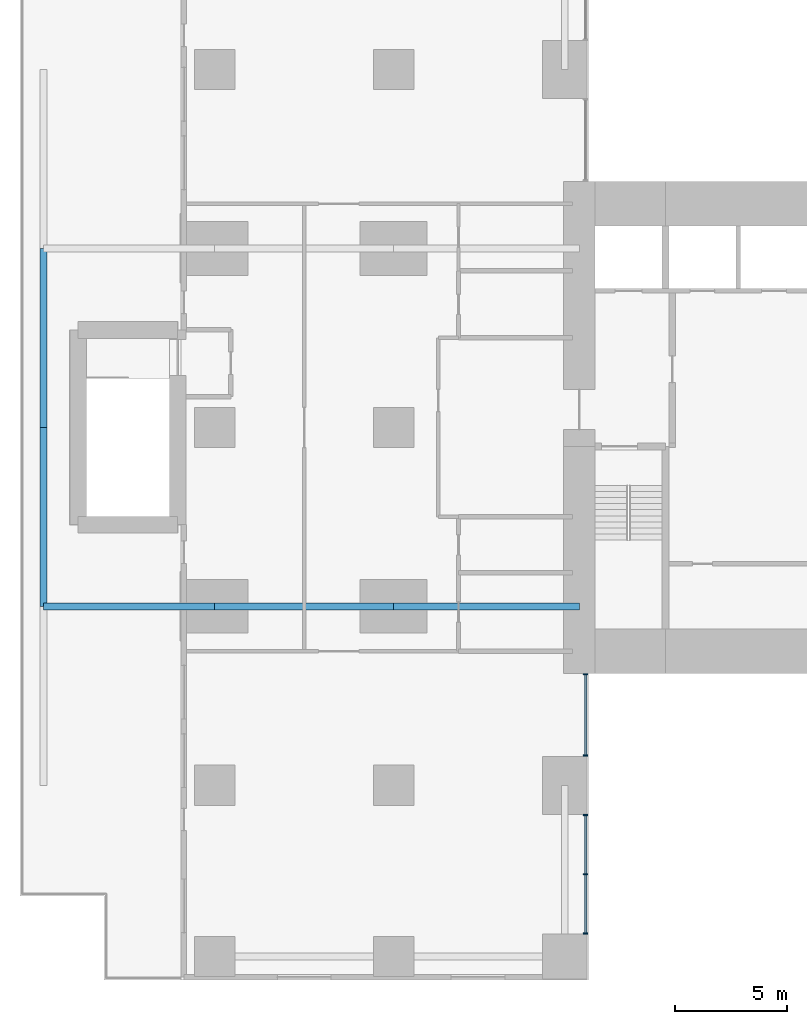
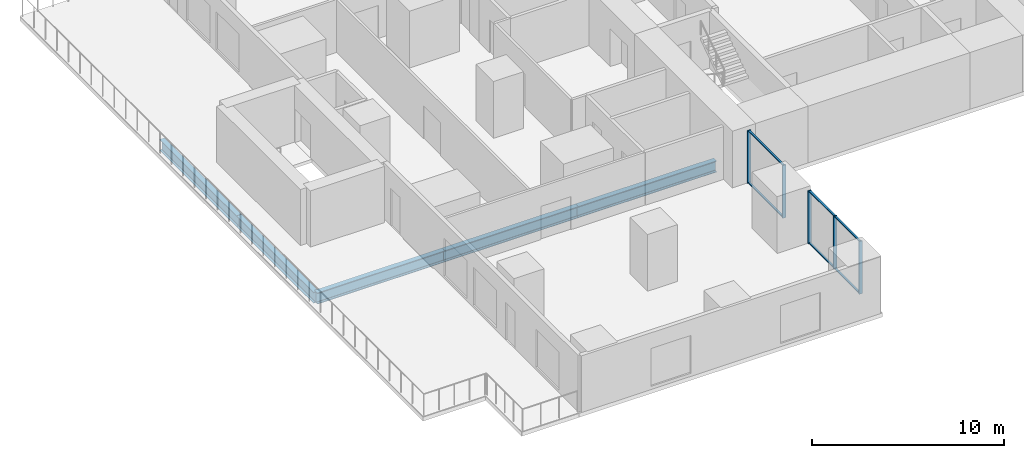
# One storey, part 2 of 16: 11 members, 5 beams, 2 elements without a shape of their own.
"""IFC4 building model written with IfcOpenShell, lengths in metres."""

from ifc_helpers import new_model, si_unit, direction, frame, origin, origin_2d, place, context, subcontext, project, spatial, rectangle, i_section, extrude, material, layer, layer_set, material_profile, profile_set, type_object, element, aggregate, save


model = new_model("IFC4")

# Units and contexts
model_context = context("Model", 3, precision=1e-05, world=origin(), true_north=direction((0.0, 1.0)))
body_context = subcontext(model_context, "Body", "Model", "MODEL_VIEW")
ifc_project = project(units=[si_unit("LENGTHUNIT", "METRE"), si_unit("AREAUNIT", "SQUARE_METRE"), si_unit("VOLUMEUNIT", "CUBIC_METRE"), si_unit("PLANEANGLEUNIT", "RADIAN"), si_unit("MASSUNIT", "GRAM", prefix="KILO")], contexts=[model_context])

# Site, building, storey
site_placement = place(None, origin())
site = spatial("IfcSite", under=ifc_project, at=site_placement, CompositionType="ELEMENT")
building_placement = place(site_placement, origin())
building = spatial("IfcBuilding", under=site, at=building_placement, Name="Cleftline Residences", CompositionType="ELEMENT")
storey_placement = place(building_placement, frame((0.0, 0.0, 218.199951171875)))
storey = spatial("IfcBuildingStorey", under=building, at=storey_placement, Name="L57", CompositionType="ELEMENT", Elevation=218.199951171875)

# Beams
ifc_material_1 = material(Name="Steel S355", Category="steel")
ifc_material_profile_1 = material_profile(ifc_material_1, i_section(OverallWidth=0.300048828125, OverallDepth=0.699951171875, WebThickness=0.01708984375, FlangeThickness=0.031982421875, FilletRadius=0.027099609375, at=origin_2d()))
ifc_profile_set_1 = profile_set([ifc_material_profile_1], Name="Steel S355")
beam_type_1 = type_object("IfcBeamType", Name="BEAM HEB 700", PredefinedType="BEAM", material=ifc_profile_set_1)
for number, where, z_axis, x_axis, name in (
    (1, (0.35009765625, 16.0, -0.599853515625), (0.0, 1.0, 0.0), (-1.0, 0.0, 0.0), "Edge beam"),
    (2, (0.35009765625, 24.0, -0.599853515625), (0.0, 1.0, 0.0), (-1.0, 0.0, 0.0), "Edge beam"),
):
    element("IfcBeam", number, at=place(storey_placement, frame(where, z_axis=z_axis, x_axis=x_axis)), inside=storey, type_object=beam_type_1, Name=name, PredefinedType="BEAM", context=body_context, shape_type="SweptSolid", body=[
        extrude(i_section(OverallWidth=0.300048828125, OverallDepth=0.699951171875, WebThickness=0.01708984375, FlangeThickness=0.031982421875, FilletRadius=0.027099609375, at=origin_2d()), origin(), (0.0, 0.0, 1.0), 8.0),
    ])
ifc_material_2 = material(Name="Steel S355", Category="steel")
ifc_material_profile_2 = material_profile(ifc_material_2, i_section(OverallWidth=0.303955078125, OverallDepth=0.716064453125, WebThickness=0.02099609375, FlangeThickness=0.0400390625, FilletRadius=0.027099609375, at=origin_2d()))
ifc_profile_set_2 = profile_set([ifc_material_profile_2], Name="Steel S355")
beam_type_2 = type_object("IfcBeamType", Name="BEAM HEM 700", PredefinedType="BEAM", material=ifc_profile_set_2)
beam_1_placement = place(storey_placement, frame((0.35009765625, 16.0, -0.60791015625), z_axis=(1.0, 0.0, 0.0), x_axis=(0.0, 1.0, 0.0)))
element("IfcBeam", 3, at=beam_1_placement, inside=storey, type_object=beam_type_2, Name="Band beam", PredefinedType="BEAM", context=body_context, shape_type="SweptSolid", body=[
    extrude(i_section(OverallWidth=0.303955078125, OverallDepth=0.716064453125, WebThickness=0.02099609375, FlangeThickness=0.0400390625, FilletRadius=0.027099609375, at=origin_2d()), origin(), (0.0, 0.0, 1.0), 7.64990234375),
])
beam_2_placement = place(storey_placement, frame((8.0, 16.0, -0.60791015625), z_axis=(1.0, 0.0, 0.0), x_axis=(0.0, 1.0, 0.0)))
element("IfcBeam", 4, at=beam_2_placement, inside=storey, type_object=beam_type_2, Name="Band beam", PredefinedType="BEAM", context=body_context, shape_type="SweptSolid", body=[
    extrude(i_section(OverallWidth=0.303955078125, OverallDepth=0.716064453125, WebThickness=0.02099609375, FlangeThickness=0.0400390625, FilletRadius=0.027099609375, at=origin_2d()), origin(), (0.0, 0.0, 1.0), 8.0),
])
beam_3_placement = place(storey_placement, frame((16.0, 16.0, -0.60791015625), z_axis=(1.0, 0.0, 0.0), x_axis=(0.0, 1.0, 0.0)))
element("IfcBeam", 5, at=beam_3_placement, inside=storey, type_object=beam_type_2, Name="Band beam", PredefinedType="BEAM", context=body_context, shape_type="SweptSolid", body=[
    extrude(i_section(OverallWidth=0.303955078125, OverallDepth=0.716064453125, WebThickness=0.02099609375, FlangeThickness=0.0400390625, FilletRadius=0.027099609375, at=origin_2d()), origin(), (0.0, 0.0, 1.0), 8.300048828125),
])

# Curtain wall, members
ifc_material_3 = material(Name="Aluminium framed curtain wall", Category="aluminium")
ifc_layer = layer(ifc_material_3, 0.199951171875)
ifc_layer_set = layer_set([ifc_layer], Name="CW1 CLEFT GLAZING")
curtain_wall_type = type_object("IfcCurtainWallType", Name="CW1 CLEFT GLAZING", PredefinedType="NOTDEFINED", material=ifc_layer_set)
curtain_wall_1_placement = place(storey_placement, origin())
curtain_wall_1 = element("IfcCurtainWall", 6, at=curtain_wall_1_placement, inside=storey, type_object=curtain_wall_type, Name="Curtain wall CW1", PredefinedType="NOTDEFINED")
ifc_material_4 = material(Name="Aluminium mullion", Category="aluminium")
ifc_material_profile_3 = material_profile(ifc_material_4, rectangle(XDim=0.199951171875, YDim=0.06005859375, at=origin_2d()))
ifc_profile_set_3 = profile_set([ifc_material_profile_3], Name="Aluminium mullion")
member_type_1 = type_object("IfcMemberType", Name="CW1 MULLION", PredefinedType="MULLION", material=ifc_profile_set_3)
member_1_placement = place(storey_placement, frame((24.574951171875, 1.3798828125, 0.0), z_axis=(0.0, 0.0, 1.0), x_axis=(-1.0, 0.0, 0.0)))
member_1 = element("IfcMember", 7, at=member_1_placement, type_object=member_type_1, Name="CW1 mullion 1", PredefinedType="MULLION", context=body_context, shape_type="SweptSolid", body=[
    extrude(rectangle(XDim=0.199951171875, YDim=0.06005859375, at=origin_2d()), origin(), (0.0, 0.0, 1.0), 3.35009765625),
])
member_2_placement = place(storey_placement, frame((24.574951171875, 4.02490234375, 0.0), z_axis=(0.0, 0.0, 1.0), x_axis=(-1.0, 0.0, 0.0)))
member_2 = element("IfcMember", 8, at=member_2_placement, type_object=member_type_1, Name="CW1 mullion 2", PredefinedType="MULLION", context=body_context, shape_type="SweptSolid", body=[
    extrude(rectangle(XDim=0.199951171875, YDim=0.06005859375, at=origin_2d()), origin(), (0.0, 0.0, 1.0), 3.35009765625),
])
member_3_placement = place(storey_placement, frame((24.574951171875, 6.669921875, 0.0), z_axis=(0.0, 0.0, 1.0), x_axis=(-1.0, 0.0, 0.0)))
member_3 = element("IfcMember", 9, at=member_3_placement, type_object=member_type_1, Name="CW1 mullion 3", PredefinedType="MULLION", context=body_context, shape_type="SweptSolid", body=[
    extrude(rectangle(XDim=0.199951171875, YDim=0.06005859375, at=origin_2d()), origin(), (0.0, 0.0, 1.0), 3.35009765625),
])

curtain_wall_2_placement = place(storey_placement, origin())
curtain_wall_2 = element("IfcCurtainWall", 10, at=curtain_wall_2_placement, inside=storey, type_object=curtain_wall_type, Name="Curtain wall CW1", PredefinedType="NOTDEFINED")
member_4_placement = place(storey_placement, frame((24.574951171875, 9.330078125, 0.0), z_axis=(0.0, 0.0, 1.0), x_axis=(-1.0, 0.0, 0.0)))
member_4 = element("IfcMember", 11, at=member_4_placement, type_object=member_type_1, Name="CW1 mullion 1", PredefinedType="MULLION", context=body_context, shape_type="SweptSolid", body=[
    extrude(rectangle(XDim=0.199951171875, YDim=0.06005859375, at=origin_2d()), origin(), (0.0, 0.0, 1.0), 3.35009765625),
])
member_5_placement = place(storey_placement, frame((24.574951171875, 12.969970703125, 0.0), z_axis=(0.0, 0.0, 1.0), x_axis=(-1.0, 0.0, 0.0)))
member_5 = element("IfcMember", 12, at=member_5_placement, type_object=member_type_1, Name="CW1 mullion 2", PredefinedType="MULLION", context=body_context, shape_type="SweptSolid", body=[
    extrude(rectangle(XDim=0.199951171875, YDim=0.06005859375, at=origin_2d()), origin(), (0.0, 0.0, 1.0), 3.35009765625),
])

# Member
ifc_material_5 = material(Name="Aluminium transom", Category="aluminium")
ifc_material_profile_4 = material_profile(ifc_material_5, rectangle(XDim=0.1201171875, YDim=0.06005859375, at=origin_2d()))
ifc_profile_set_4 = profile_set([ifc_material_profile_4], Name="Aluminium transom")
member_type_2 = type_object("IfcMemberType", Name="CW1 TRANSOM", PredefinedType="USERDEFINED", material=ifc_profile_set_4)
member_6_placement = place(storey_placement, frame((24.574951171875, 1.409912109375, 0.030029296875), z_axis=(0.0, 1.0, 0.0), x_axis=(-1.0, 0.0, 0.0)))
member_6 = element("IfcMember", 13, at=member_6_placement, type_object=member_type_2, Name="CW1 transom 1.1", ObjectType="TRANSOM", PredefinedType="USERDEFINED", context=body_context, shape_type="SweptSolid", body=[
    extrude(rectangle(XDim=0.1201171875, YDim=0.06005859375, at=origin_2d()), origin(), (0.0, 0.0, 1.0), 2.585205078125),
])

member_7_placement = place(storey_placement, frame((24.574951171875, 1.409912109375, 3.320068359375), z_axis=(0.0, 1.0, 0.0), x_axis=(-1.0, 0.0, 0.0)))
member_7 = element("IfcMember", 14, at=member_7_placement, type_object=member_type_2, Name="CW1 transom 1.2", ObjectType="TRANSOM", PredefinedType="USERDEFINED", context=body_context, shape_type="SweptSolid", body=[
    extrude(rectangle(XDim=0.1201171875, YDim=0.06005859375, at=origin_2d()), origin(), (0.0, 0.0, 1.0), 2.585205078125),
])

member_8_placement = place(storey_placement, frame((24.574951171875, 4.054931640625, 0.030029296875), z_axis=(0.0, 1.0, 0.0), x_axis=(-1.0, 0.0, 0.0)))
member_8 = element("IfcMember", 15, at=member_8_placement, type_object=member_type_2, Name="CW1 transom 2.1", ObjectType="TRANSOM", PredefinedType="USERDEFINED", context=body_context, shape_type="SweptSolid", body=[
    extrude(rectangle(XDim=0.1201171875, YDim=0.06005859375, at=origin_2d()), origin(), (0.0, 0.0, 1.0), 2.5849609375),
])

member_9_placement = place(storey_placement, frame((24.574951171875, 4.054931640625, 3.320068359375), z_axis=(0.0, 1.0, 0.0), x_axis=(-1.0, 0.0, 0.0)))
member_9 = element("IfcMember", 16, at=member_9_placement, type_object=member_type_2, Name="CW1 transom 2.2", ObjectType="TRANSOM", PredefinedType="USERDEFINED", context=body_context, shape_type="SweptSolid", body=[
    extrude(rectangle(XDim=0.1201171875, YDim=0.06005859375, at=origin_2d()), origin(), (0.0, 0.0, 1.0), 2.5849609375),
])

aggregate(curtain_wall_1, [member_1, member_2, member_3, member_6, member_7, member_8, member_9])

member_10_placement = place(storey_placement, frame((24.574951171875, 9.360107421875, 0.030029296875), z_axis=(0.0, 1.0, 0.0), x_axis=(-1.0, 0.0, 0.0)))
member_10 = element("IfcMember", 17, at=member_10_placement, type_object=member_type_2, Name="CW1 transom 1.1", ObjectType="TRANSOM", PredefinedType="USERDEFINED", context=body_context, shape_type="SweptSolid", body=[
    extrude(rectangle(XDim=0.1201171875, YDim=0.06005859375, at=origin_2d()), origin(), (0.0, 0.0, 1.0), 3.579833984375),
])

member_11_placement = place(storey_placement, frame((24.574951171875, 9.360107421875, 3.320068359375), z_axis=(0.0, 1.0, 0.0), x_axis=(-1.0, 0.0, 0.0)))
member_11 = element("IfcMember", 18, at=member_11_placement, type_object=member_type_2, Name="CW1 transom 1.2", ObjectType="TRANSOM", PredefinedType="USERDEFINED", context=body_context, shape_type="SweptSolid", body=[
    extrude(rectangle(XDim=0.1201171875, YDim=0.06005859375, at=origin_2d()), origin(), (0.0, 0.0, 1.0), 3.579833984375),
])

aggregate(curtain_wall_2, [member_4, member_5, member_10, member_11])

save(model, "model.ifc")
